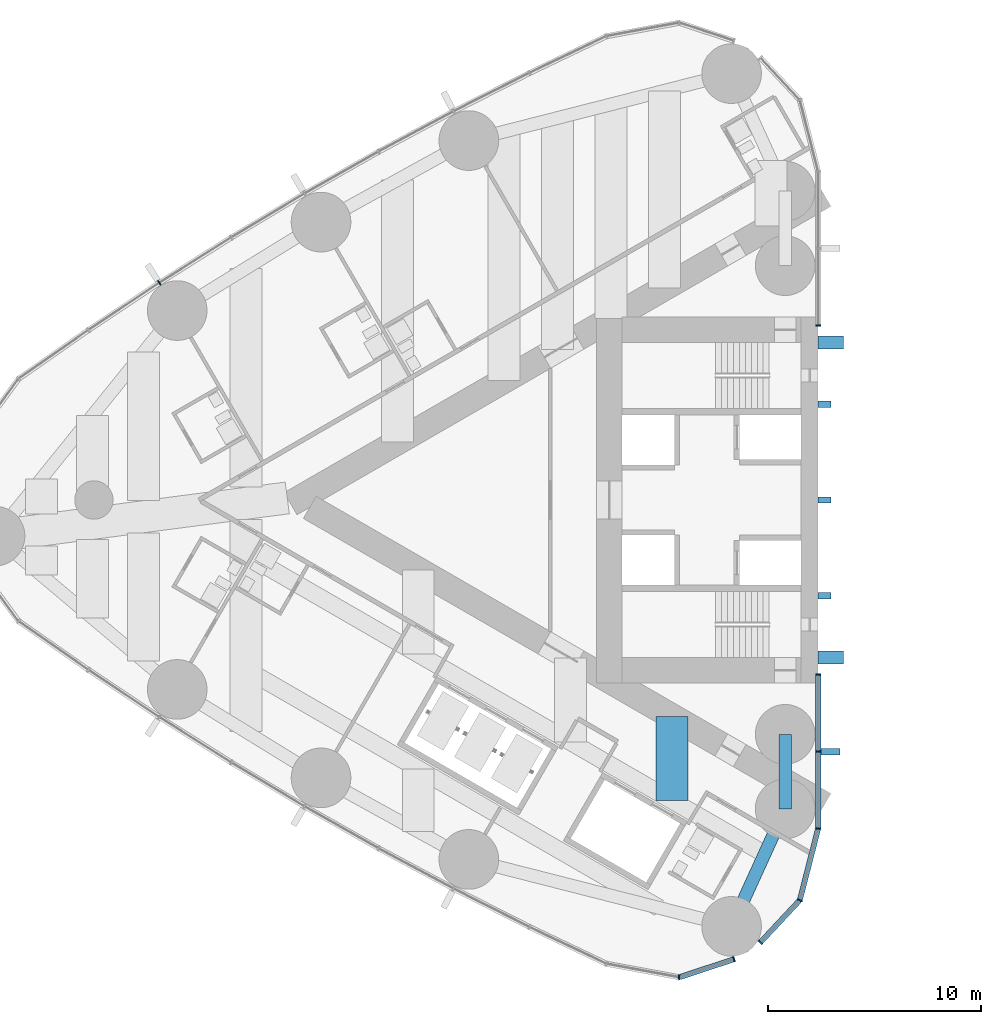
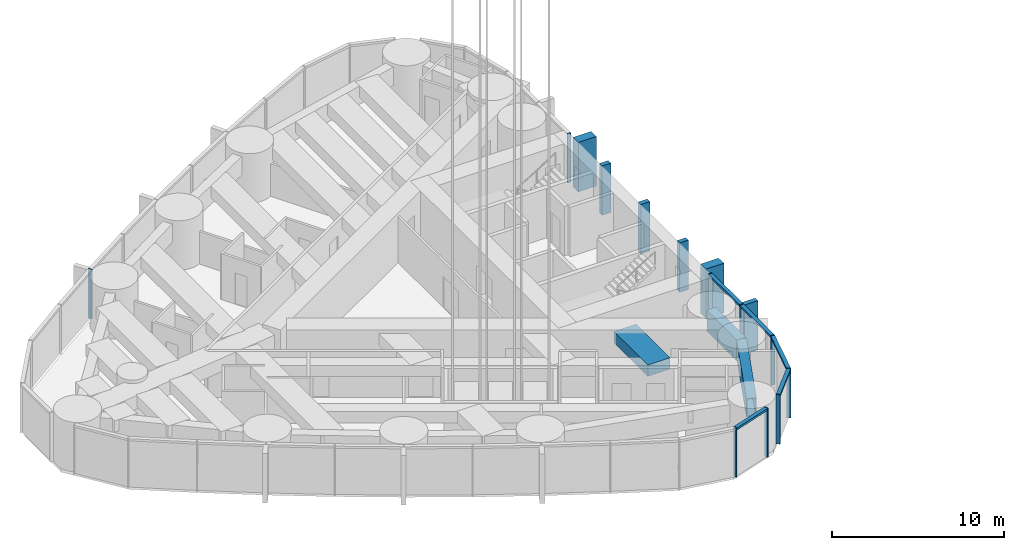
# One storey, part 4 of 21: 20 members, 3 beams, 4 elements without a shape of their own.
"""IFC4 building model written with IfcOpenShell, lengths in metres."""

from ifc_helpers import new_model, si_unit, direction, frame, origin, origin_2d, place, context, subcontext, project, spatial, rectangle, hollow_rectangle, extrude, material, material_profile, profile_set, type_object, element, aggregate, save


model = new_model("IFC4")

# Units and contexts
model_context = context("Model", 3, precision=1e-05, world=origin(), true_north=direction((0.0, 1.0)))
body_context = subcontext(model_context, "Body", "Model", "MODEL_VIEW")
ifc_project = project(units=[si_unit("LENGTHUNIT", "METRE"), si_unit("AREAUNIT", "SQUARE_METRE"), si_unit("VOLUMEUNIT", "CUBIC_METRE"), si_unit("PLANEANGLEUNIT", "RADIAN"), si_unit("MASSUNIT", "GRAM", prefix="KILO")], contexts=[model_context])

# Site, building, storey
site_placement = place(None, origin())
site = spatial("IfcSite", under=ifc_project, at=site_placement, CompositionType="ELEMENT")
building_placement = place(site_placement, origin())
building = spatial("IfcBuilding", under=site, at=building_placement, Name="Lancet Gate Hotel", CompositionType="ELEMENT")
storey_placement = place(building_placement, frame((0.0, 0.0, 156.300048828125)))
storey = spatial("IfcBuildingStorey", under=building, at=storey_placement, Name="L41", CompositionType="ELEMENT", Elevation=156.300048828125)

# Curtain wall, member
ifc_material_1 = material(Name="Aluminium curtain wall", Category="aluminium")
curtain_wall_type = type_object("IfcCurtainWallType", Name="Tower unitised curtain wall", PredefinedType="USERDEFINED", material=ifc_material_1)
curtain_wall_1_placement = place(storey_placement, origin())
curtain_wall_1 = element("IfcCurtainWall", 1, at=curtain_wall_1_placement, inside=storey, type_object=curtain_wall_type, Name="T1 L41 curtain wall 1", ObjectType="UNITISED CURTAIN WALL", PredefinedType="USERDEFINED")
ifc_material_2 = material(Name="Aluminium mullion", Category="aluminium")
ifc_material_profile_1 = material_profile(ifc_material_2, rectangle(XDim=0.06494140625, YDim=0.25, at=origin_2d()), Name="MULLION 65x250")
ifc_profile_set_1 = profile_set([ifc_material_profile_1], Name="Aluminium mullion")
member_type_1 = type_object("IfcMemberType", Name="Aluminium mullion 65x250", PredefinedType="MULLION", material=ifc_profile_set_1)
member_1_placement = place(storey_placement, frame((-27.5, 8.199951171875, 0.0), z_axis=(0.0, 0.0, 1.0), x_axis=(0.0, 1.0, 0.0)))
member_1 = element("IfcMember", 2, at=member_1_placement, type_object=member_type_1, Name="T1 L41 curtain wall 1 mullion 1", PredefinedType="MULLION", context=body_context, shape_type="SweptSolid", body=[
    extrude(rectangle(XDim=0.06494140625, YDim=0.25, at=origin_2d()), origin(), (0.0, 0.0, 1.0), 3.5),
])
aggregate(curtain_wall_1, [member_1])

curtain_wall_2_placement = place(storey_placement, origin())
curtain_wall_2 = element("IfcCurtainWall", 3, at=curtain_wall_2_placement, inside=storey, type_object=curtain_wall_type, Name="T1 L41 curtain wall 2", ObjectType="UNITISED CURTAIN WALL", PredefinedType="USERDEFINED")
member_2_placement = place(storey_placement, frame((-58.43212890625, 10.194091796875, 0.0), z_axis=(0.0, 0.0, 1.0), x_axis=(-0.839331119324, -0.54362052218, 0.0)))
member_2 = element("IfcMember", 4, at=member_2_placement, type_object=member_type_1, Name="T1 L41 curtain wall 2 mullion 9", PredefinedType="MULLION", context=body_context, shape_type="SweptSolid", body=[
    extrude(rectangle(XDim=0.06494140625, YDim=0.25, at=origin_2d()), origin(), (0.0, 0.0, 1.0), 3.5),
])
aggregate(curtain_wall_2, [member_2])

# Curtain wall, members
curtain_wall_3_placement = place(storey_placement, origin())
curtain_wall_3 = element("IfcCurtainWall", 5, at=curtain_wall_3_placement, inside=storey, type_object=curtain_wall_type, Name="T1 L41 curtain wall 3", ObjectType="UNITISED CURTAIN WALL", PredefinedType="USERDEFINED")
member_3_placement = place(storey_placement, frame((-34.02783203125, -22.407470703125, 0.0), z_axis=(0.0, 0.0, 1.0), x_axis=(0.999350473622, 0.036036521361, 0.0)))
member_3 = element("IfcMember", 6, at=member_3_placement, type_object=member_type_1, Name="T1 L41 curtain wall 3 mullion 11", PredefinedType="MULLION", context=body_context, shape_type="SweptSolid", body=[
    extrude(rectangle(XDim=0.06494140625, YDim=0.25, at=origin_2d()), origin(), (0.0, 0.0, 1.0), 3.5),
])
member_4_placement = place(storey_placement, frame((-31.45263671875, -21.5595703125, 0.0), z_axis=(0.0, 0.0, 1.0), x_axis=(0.949848055084, 0.312711803827, 0.0)))
member_4 = element("IfcMember", 7, at=member_4_placement, type_object=member_type_1, Name="T1 L41 curtain wall 3 mullion 12", PredefinedType="MULLION", context=body_context, shape_type="SweptSolid", body=[
    extrude(rectangle(XDim=0.06494140625, YDim=0.25, at=origin_2d()), origin(), (0.0, 0.0, 1.0), 3.5),
])

curtain_wall_4_placement = place(storey_placement, origin())
curtain_wall_4 = element("IfcCurtainWall", 8, at=curtain_wall_4_placement, inside=storey, type_object=curtain_wall_type, Name="T1 L41 curtain wall 4", ObjectType="UNITISED CURTAIN WALL", PredefinedType="USERDEFINED")
member_5_placement = place(storey_placement, frame((-30.210693359375, -20.765625, 0.0), z_axis=(0.0, 0.0, 1.0), x_axis=(0.682844962172, 0.730563315282, 0.0)))
member_5 = element("IfcMember", 9, at=member_5_placement, type_object=member_type_1, Name="T1 L41 curtain wall 4 mullion 1", PredefinedType="MULLION", context=body_context, shape_type="SweptSolid", body=[
    extrude(rectangle(XDim=0.06494140625, YDim=0.25, at=origin_2d()), origin(), (0.0, 0.0, 1.0), 3.5),
])
member_6_placement = place(storey_placement, frame((-28.360595703125, -18.7861328125, 0.0), z_axis=(0.0, 0.0, 1.0), x_axis=(0.452507601198, 0.891760545695, 0.0)))
member_6 = element("IfcMember", 10, at=member_6_placement, type_object=member_type_1, Name="T1 L41 curtain wall 4 mullion 2", PredefinedType="MULLION", context=body_context, shape_type="SweptSolid", body=[
    extrude(rectangle(XDim=0.06494140625, YDim=0.25, at=origin_2d()), origin(), (0.0, 0.0, 1.0), 3.5),
])
member_7_placement = place(storey_placement, frame((-27.5, -15.42333984375, 0.0), z_axis=(0.0, 0.0, 1.0), x_axis=(0.122467472845, 0.992472527627, 0.0)))
member_7 = element("IfcMember", 11, at=member_7_placement, type_object=member_type_1, Name="T1 L41 curtain wall 4 mullion 3", PredefinedType="MULLION", context=body_context, shape_type="SweptSolid", body=[
    extrude(rectangle(XDim=0.06494140625, YDim=0.25, at=origin_2d()), origin(), (0.0, 0.0, 1.0), 3.5),
])
member_8_placement = place(storey_placement, frame((-27.5, -11.811767578125, 0.0), z_axis=(0.0, 0.0, 1.0), x_axis=(0.0, 1.0, 0.0)))
member_8 = element("IfcMember", 12, at=member_8_placement, type_object=member_type_1, Name="T1 L41 curtain wall 4 mullion 4", PredefinedType="MULLION", context=body_context, shape_type="SweptSolid", body=[
    extrude(rectangle(XDim=0.06494140625, YDim=0.25, at=origin_2d()), origin(), (0.0, 0.0, 1.0), 3.5),
])
member_9_placement = place(storey_placement, frame((-27.5, -8.199951171875, 0.0), z_axis=(0.0, 0.0, 1.0), x_axis=(0.0, 1.0, 0.0)))
member_9 = element("IfcMember", 13, at=member_9_placement, type_object=member_type_1, Name="T1 L41 curtain wall 4 mullion 5", PredefinedType="MULLION", context=body_context, shape_type="SweptSolid", body=[
    extrude(rectangle(XDim=0.06494140625, YDim=0.25, at=origin_2d()), origin(), (0.0, 0.0, 1.0), 3.5),
])

# Member
ifc_material_3 = material(Name="Aluminium transom", Category="aluminium")
ifc_material_profile_2 = material_profile(ifc_material_3, rectangle(XDim=0.25, YDim=0.14990234375, at=origin_2d()), Name="TRANSOM 250x150")
ifc_profile_set_2 = profile_set([ifc_material_profile_2], Name="Aluminium transom")
member_type_2 = type_object("IfcMemberType", Name="Aluminium transom 250x150", PredefinedType="USERDEFINED", material=ifc_profile_set_2)
member_10_placement = place(storey_placement, frame((-33.9970703125, -22.397216796875, 3.425048828125), z_axis=(0.949857661259, 0.312682623993, 0.0), x_axis=(-0.312682623993, 0.949857661259, 0.0)))
member_10 = element("IfcMember", 14, at=member_10_placement, type_object=member_type_2, Name="T1 L41 curtain wall 3 transom 11", ObjectType="TRANSOM", PredefinedType="USERDEFINED", context=body_context, shape_type="SweptSolid", body=[
    extrude(rectangle(XDim=0.25, YDim=0.14990234375, at=origin_2d()), origin(), (0.0, 0.0, 1.0), 2.64599609375),
])

aggregate(curtain_wall_3, [member_3, member_4, member_10])

member_11_placement = place(storey_placement, frame((-30.188720703125, -20.741943359375, 3.425048828125), z_axis=(0.682841037959, 0.730566983157, 0.0), x_axis=(-0.730566983157, 0.682841037959, 0.0)))
member_11 = element("IfcMember", 15, at=member_11_placement, type_object=member_type_2, Name="T1 L41 curtain wall 4 transom 1", ObjectType="TRANSOM", PredefinedType="USERDEFINED", context=body_context, shape_type="SweptSolid", body=[
    extrude(rectangle(XDim=0.25, YDim=0.14990234375, at=origin_2d()), origin(), (0.0, 0.0, 1.0), 2.644775390625),
])

member_12_placement = place(storey_placement, frame((-28.3525390625, -18.754638671875, 3.425048828125), z_axis=(0.247928683912, 0.968778286139, 0.0), x_axis=(-0.968778286139, 0.247928683912, 0.0)))
member_12 = element("IfcMember", 16, at=member_12_placement, type_object=member_type_2, Name="T1 L41 curtain wall 4 transom 2", ObjectType="TRANSOM", PredefinedType="USERDEFINED", context=body_context, shape_type="SweptSolid", body=[
    extrude(rectangle(XDim=0.25, YDim=0.14990234375, at=origin_2d()), origin(), (0.0, 0.0, 1.0), 3.40625),
])

member_13_placement = place(storey_placement, frame((-27.5, -15.390869140625, 3.425048828125), z_axis=(0.0, 1.0, 0.0), x_axis=(-1.0, 0.0, 0.0)))
member_13 = element("IfcMember", 17, at=member_13_placement, type_object=member_type_2, Name="T1 L41 curtain wall 4 transom 3", ObjectType="TRANSOM", PredefinedType="USERDEFINED", context=body_context, shape_type="SweptSolid", body=[
    extrude(rectangle(XDim=0.25, YDim=0.14990234375, at=origin_2d()), origin(), (0.0, 0.0, 1.0), 3.546630859375),
])

member_14_placement = place(storey_placement, frame((-27.5, -11.779296875, 3.425048828125), z_axis=(0.0, 1.0, 0.0), x_axis=(-1.0, 0.0, 0.0)))
member_14 = element("IfcMember", 18, at=member_14_placement, type_object=member_type_2, Name="T1 L41 curtain wall 4 transom 4", ObjectType="TRANSOM", PredefinedType="USERDEFINED", context=body_context, shape_type="SweptSolid", body=[
    extrude(rectangle(XDim=0.25, YDim=0.14990234375, at=origin_2d()), origin(), (0.0, 0.0, 1.0), 3.546875),
])

# Beam
ifc_material_4 = material(Name="Steel S460QL", Category="steel")
ifc_material_profile_3 = material_profile(ifc_material_4, hollow_rectangle(XDim=0.60009765625, YDim=1.300048828125, WallThickness=0.050048828125, at=origin_2d()), Name="BOX 1300x600x50")
ifc_profile_set_3 = profile_set([ifc_material_profile_3], Name="Steel S460QL")
beam_type_1 = type_object("IfcBeamType", Name="Edge beam BOX 1300x600x50", PredefinedType="SPANDREL", material=ifc_profile_set_3)
beam_1_placement = place(storey_placement, frame((-29.050048828125, -14.5, 2.599853515625), z_axis=(-0.414919206993, -0.909858259109, 0.0), x_axis=(0.909858259109, -0.414919206993, 0.0)))
element("IfcBeam", 19, at=beam_1_placement, inside=storey, type_object=beam_type_1, Name="T1 edge beam EB2 L41", PredefinedType="SPANDREL", context=body_context, shape_type="SweptSolid", body=[
    extrude(hollow_rectangle(XDim=0.60009765625, YDim=1.300048828125, WallThickness=0.050048828125, at=origin_2d()), origin(), (0.0, 0.0, 1.0), 6.062255859375),
])

# Members
ifc_material_5 = material(Name="Concrete C60/75", Category="concrete")
ifc_material_profile_4 = material_profile(ifc_material_5, rectangle(XDim=0.60009765625, YDim=1.199951171875, at=origin_2d()), Name="FIN 600x1200")
ifc_profile_set_4 = profile_set([ifc_material_profile_4], Name="Concrete C60/75")
member_type_3 = type_object("IfcMemberType", Name="Exposed concrete buttress pilaster 600x1200", PredefinedType="USERDEFINED", material=ifc_profile_set_4)
for number, where, z_axis, x_axis, name in (
    (20, (-26.909912109375, 7.39990234375, 0.0), (0.0, 0.0, 1.0), (0.0, 1.0, 0.0), "T1 buttress pilaster S L41"),
    (21, (-26.909912109375, -7.39990234375, 0.0), (0.0, 0.0, 1.0), (0.0, 1.0, 0.0), "T1 buttress pilaster N L41"),
):
    element("IfcMember", number, at=place(storey_placement, frame(where, z_axis=z_axis, x_axis=x_axis)), inside=storey, type_object=member_type_3, Name=name, ObjectType="FIN", PredefinedType="USERDEFINED", context=body_context, shape_type="SweptSolid", body=[
        extrude(rectangle(XDim=0.60009765625, YDim=1.199951171875, at=origin_2d()), origin(), (0.0, 0.0, 1.0), 3.5),
    ])

# Member
ifc_material_6 = material(Name="Precast concrete C50/60", Category="concrete")
ifc_material_profile_5 = material_profile(ifc_material_6, rectangle(XDim=0.300048828125, YDim=0.89990234375, at=origin_2d()), Name="FIN 300x900")
ifc_profile_set_5 = profile_set([ifc_material_profile_5], Name="Precast concrete C50/60")
member_type_4 = type_object("IfcMemberType", Name="Exposed concrete fin 300x900", PredefinedType="USERDEFINED", material=ifc_profile_set_5)
member_15_placement = place(storey_placement, frame((-26.925048828125, -11.811767578125, 0.0), z_axis=(0.0, 0.0, 1.0), x_axis=(0.0, 1.0, 0.0)))
member_15 = element("IfcMember", 22, at=member_15_placement, type_object=member_type_4, Name="T1 L41 curtain wall 4 fin 4", ObjectType="FIN", PredefinedType="USERDEFINED", context=body_context, shape_type="SweptSolid", body=[
    extrude(rectangle(XDim=0.300048828125, YDim=0.89990234375, at=origin_2d()), origin(), (0.0, 0.0, 1.0), 3.5),
])

aggregate(curtain_wall_4, [member_5, member_6, member_7, member_8, member_15, member_9, member_11, member_12, member_13, member_14])

# Members
ifc_material_7 = material(Name="Concrete C60/75", Category="concrete")
ifc_material_profile_6 = material_profile(ifc_material_7, rectangle(XDim=0.300048828125, YDim=0.60009765625, at=origin_2d()), Name="FIN 300x600")
ifc_profile_set_6 = profile_set([ifc_material_profile_6], Name="Concrete C60/75")
member_type_5 = type_object("IfcMemberType", Name="Exposed concrete rib 300x600", PredefinedType="USERDEFINED", material=ifc_profile_set_6)
for number, where, z_axis, x_axis, name in (
    (23, (-27.2099609375, 4.5, 0.0), (0.0, 0.0, 1.0), (0.0, 1.0, 0.0), "T1 core rib 1 L41"),
    (24, (-27.2099609375, 0.0, 0.0), (0.0, 0.0, 1.0), (0.0, 1.0, 0.0), "T1 core rib 2 L41"),
    (25, (-27.2099609375, -4.5, 0.0), (0.0, 0.0, 1.0), (0.0, 1.0, 0.0), "T1 core rib 3 L41"),
):
    element("IfcMember", number, at=place(storey_placement, frame(where, z_axis=z_axis, x_axis=x_axis)), inside=storey, type_object=member_type_5, Name=name, ObjectType="FIN", PredefinedType="USERDEFINED", context=body_context, shape_type="SweptSolid", body=[
        extrude(rectangle(XDim=0.300048828125, YDim=0.60009765625, at=origin_2d()), origin(), (0.0, 0.0, 1.0), 3.5),
    ])

# Beams
ifc_material_8 = material(Name="Concrete C50/60", Category="concrete")
ifc_material_profile_7 = material_profile(ifc_material_8, rectangle(XDim=1.5, YDim=0.800048828125, at=origin_2d()), Name="RC 1500x800")
ifc_profile_set_7 = profile_set([ifc_material_profile_7], Name="Concrete C50/60")
beam_type_2 = type_object("IfcBeamType", Name="Floor beam RC 1500x800", PredefinedType="BEAM", material=ifc_profile_set_7)
beam_2_placement = place(storey_placement, frame((-34.353515625, -10.169921875, 2.849853515625), z_axis=(0.0, -1.0, 0.0), x_axis=(1.0, 0.0, 0.0)))
element("IfcBeam", 26, at=beam_2_placement, inside=storey, type_object=beam_type_2, Name="T1 floor beam F02NA L41", PredefinedType="BEAM", context=body_context, shape_type="SweptSolid", body=[
    extrude(rectangle(XDim=1.5, YDim=0.800048828125, at=origin_2d()), origin(), (0.0, 0.0, 1.0), 3.94580078125),
])
ifc_material_9 = material(Name="Steel S460QL", Category="steel")
ifc_material_profile_8 = material_profile(ifc_material_9, hollow_rectangle(XDim=0.60009765625, YDim=1.5, WallThickness=0.050048828125, at=origin_2d()), Name="BOX 1500x600x50")
ifc_profile_set_8 = profile_set([ifc_material_profile_8], Name="Steel S460QL")
beam_type_3 = type_object("IfcBeamType", Name="Inner-face link beam BOX 1500x600x50", PredefinedType="BEAM", material=ifc_profile_set_8)
beam_3_placement = place(storey_placement, frame((-29.050048828125, -11.0, 2.5), z_axis=(0.0, -1.0, 0.0), x_axis=(1.0, 0.0, 0.0)))
element("IfcBeam", 27, at=beam_3_placement, inside=storey, type_object=beam_type_3, Name="T1 inner-face link beam LK1 L41", PredefinedType="BEAM", context=body_context, shape_type="SweptSolid", body=[
    extrude(hollow_rectangle(XDim=0.60009765625, YDim=1.5, WallThickness=0.050048828125, at=origin_2d()), origin(), (0.0, 0.0, 1.0), 3.5),
])

save(model, "model.ifc")
